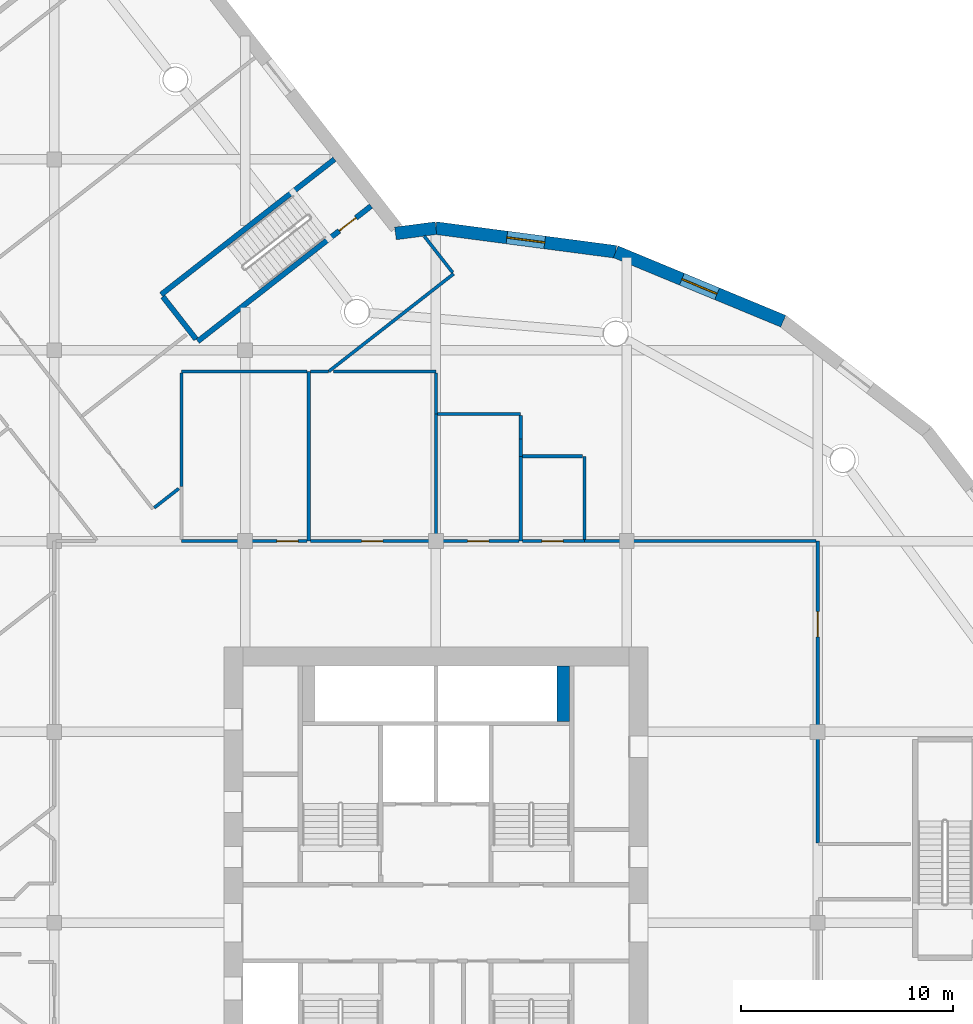
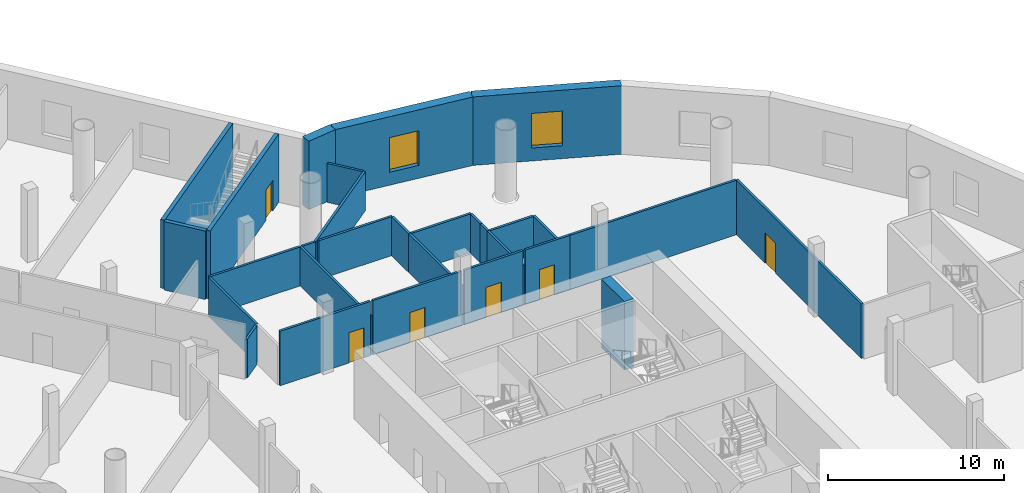
# One storey, part 10 of 22: 29 walls, 6 doors, 2 windows, 8 openings.
"""IFC4 building model written with IfcOpenShell, lengths in metres."""

from ifc_helpers import new_model, si_unit, direction, frame, frame_2d, origin, place, context, subcontext, project, spatial, rectangle, extrude, material, layer, layer_set, type_object, element, fill, save


model = new_model("IFC4")

# Units and contexts
model_context = context("Model", 3, precision=1e-05, world=origin(), true_north=direction((0.0, 1.0)))
body_context = subcontext(model_context, "Body", "Model", "MODEL_VIEW")
ifc_project = project(units=[si_unit("LENGTHUNIT", "METRE"), si_unit("AREAUNIT", "SQUARE_METRE"), si_unit("VOLUMEUNIT", "CUBIC_METRE"), si_unit("PLANEANGLEUNIT", "RADIAN"), si_unit("MASSUNIT", "GRAM", prefix="KILO")], contexts=[model_context])

# Site, building, storey
site_placement = place(None, origin())
site = spatial("IfcSite", under=ifc_project, at=site_placement, CompositionType="ELEMENT")
building_placement = place(site_placement, origin())
building = spatial("IfcBuilding", under=site, at=building_placement, Name="Tarsis Ring Headquarters", CompositionType="ELEMENT")
storey_placement = place(building_placement, frame((0.0, 0.0, 25.0)))
storey = spatial("IfcBuildingStorey", under=building, at=storey_placement, Name="L04", CompositionType="ELEMENT", Elevation=25.0)

# Walls
ifc_material_1 = material(Name="Plasterboard partition")
ifc_layer_1 = layer(ifc_material_1, 0.14990234375)
ifc_layer_set_1 = layer_set([ifc_layer_1], Name="PO-PW150")
wall_type_1 = type_object("IfcWallType", Name="PO-PW150", PredefinedType="PARTITIONING", material=ifc_layer_set_1)
wall_1_placement = place(storey_placement, frame((-6.0, 18.0, 0.0), z_axis=(0.0, 0.0, 1.0), x_axis=(0.0, 1.0, 0.0)))
element("IfcWall", 1, at=wall_1_placement, inside=storey, type_object=wall_type_1, Name="L04 partition wall 35", PredefinedType="PARTITIONING", context=body_context, shape_type="SweptSolid", body=[
    extrude(rectangle(XDim=8.0, YDim=0.14990234375, at=frame_2d((4.0, 0.0))), origin(), (0.0, 0.0, 1.0), 2.699951171875),
])
wall_2_placement = place(storey_placement, frame((0.83740234375, 30.602783203125, 0.0), z_axis=(0.0, 0.0, 1.0), x_axis=(-0.788026354001, -0.61564150721, 0.0)))
element("IfcWall", 2, at=wall_2_placement, inside=storey, type_object=wall_type_1, Name="L04 partition wall 45", PredefinedType="PARTITIONING", context=body_context, shape_type="SweptSolid", body=[
    extrude(rectangle(XDim=7.476318359375, YDim=0.14990234375, at=frame_2d((3.73828125, 0.0))), origin(), (0.0, 0.0, 1.0), 2.699951171875),
])
wall_3_placement = place(storey_placement, frame((-6.080078125, 26.0, 0.0), z_axis=(0.0, 0.0, 1.0), x_axis=(-1.0, 0.0, 0.0)))
element("IfcWall", 3, at=wall_3_placement, inside=storey, type_object=wall_type_1, Name="L04 partition wall 58", PredefinedType="PARTITIONING", context=body_context, shape_type="SweptSolid", body=[
    extrude(rectangle(XDim=5.919921875, YDim=0.14990234375, at=frame_2d((2.9599609375, 0.0))), origin(), (0.0, 0.0, 1.0), 2.699951171875),
])
wall_4_placement = place(storey_placement, frame((0.0, 18.0, 0.0), z_axis=(0.0, 0.0, 1.0), x_axis=(0.0, 1.0, 0.0)))
element("IfcWall", 4, at=wall_4_placement, inside=storey, type_object=wall_type_1, Name="L04 partition wall 60", PredefinedType="PARTITIONING", context=body_context, shape_type="SweptSolid", body=[
    extrude(rectangle(XDim=6.0, YDim=0.14990234375, at=frame_2d((3.0, 0.0))), origin(), (0.0, 0.0, 1.0), 2.699951171875),
])
wall_5_placement = place(storey_placement, frame((-12.0, 25.919921875, 0.0), z_axis=(0.0, 0.0, 1.0), x_axis=(0.0, -1.0, 0.0)))
element("IfcWall", 5, at=wall_5_placement, inside=storey, type_object=wall_type_1, Name="L04 partition wall 65", PredefinedType="PARTITIONING", context=body_context, shape_type="SweptSolid", body=[
    extrude(rectangle(XDim=5.346435546875, YDim=0.14990234375, at=frame_2d((2.67333984375, 0.0))), origin(), (0.0, 0.0, 1.0), 2.699951171875),
])
wall_6_placement = place(storey_placement, frame((-0.001953125, 26.0, 0.0), z_axis=(0.0, 0.0, 1.0), x_axis=(-1.0, 0.0, 0.0)))
element("IfcWall", 6, at=wall_6_placement, inside=storey, type_object=wall_type_1, Name="L04 partition wall 69", PredefinedType="PARTITIONING", context=body_context, shape_type="SweptSolid", body=[
    extrude(rectangle(XDim=4.832275390625, YDim=0.14990234375, at=frame_2d((2.416015625, 0.0))), origin(), (0.0, 0.0, 1.0), 2.699951171875),
])
wall_7_placement = place(storey_placement, frame((4.0, 18.0, 0.0), z_axis=(0.0, 0.0, 1.0), x_axis=(0.0, 1.0, 0.0)))
element("IfcWall", 7, at=wall_7_placement, inside=storey, type_object=wall_type_1, Name="L04 partition wall 78", PredefinedType="PARTITIONING", context=body_context, shape_type="SweptSolid", body=[
    extrude(rectangle(XDim=4.0, YDim=0.14990234375, at=frame_2d((2.0, 0.0))), origin(), (0.0, 0.0, 1.0), 2.699951171875),
])
wall_8_placement = place(storey_placement, frame((7.0, 18.080078125, 0.0), z_axis=(0.0, 0.0, 1.0), x_axis=(0.0, 1.0, 0.0)))
element("IfcWall", 8, at=wall_8_placement, inside=storey, type_object=wall_type_1, Name="L04 partition wall 79", PredefinedType="PARTITIONING", context=body_context, shape_type="SweptSolid", body=[
    extrude(rectangle(XDim=3.919921875, YDim=0.14990234375, at=frame_2d((1.9599609375, 0.0))), origin(), (0.0, 0.0, 1.0), 2.699951171875),
])
wall_9_placement = place(storey_placement, frame((0.080078125, 24.0, 0.0), z_axis=(0.0, 0.0, 1.0), x_axis=(1.0, 0.0, 0.0)))
element("IfcWall", 9, at=wall_9_placement, inside=storey, type_object=wall_type_1, Name="L04 partition wall 80", PredefinedType="PARTITIONING", context=body_context, shape_type="SweptSolid", body=[
    extrude(rectangle(XDim=3.91796875, YDim=0.14990234375, at=frame_2d((1.958984375, 0.0))), origin(), (0.0, 0.0, 1.0), 2.699951171875),
])
wall_10_placement = place(storey_placement, frame((6.919921875, 22.0, 0.0), z_axis=(0.0, 0.0, 1.0), x_axis=(-1.0, 0.0, 0.0)))
element("IfcWall", 10, at=wall_10_placement, inside=storey, type_object=wall_type_1, Name="L04 partition wall 88", PredefinedType="PARTITIONING", context=body_context, shape_type="SweptSolid", body=[
    extrude(rectangle(XDim=2.83984375, YDim=0.14990234375, at=frame_2d((1.419921875, 0.0))), origin(), (0.0, 0.0, 1.0), 2.699951171875),
])
wall_11_placement = place(storey_placement, frame((0.787353515625, 30.66552734375, 0.0), z_axis=(0.0, 0.0, 1.0), x_axis=(-0.615661438752, 0.788010782181, 0.0)))
element("IfcWall", 11, at=wall_11_placement, inside=storey, type_object=wall_type_1, Name="L04 partition wall 111", PredefinedType="PARTITIONING", context=body_context, shape_type="SweptSolid", body=[
    extrude(rectangle(XDim=2.1787109375, YDim=0.14990234375, at=frame_2d((1.08935546875, 0.0))), origin(), (0.0, 0.0, 1.0), 2.699951171875),
])
wall_12_placement = place(storey_placement, frame((0.0, 24.0, 0.0), z_axis=(0.0, 0.0, 1.0), x_axis=(0.0, 1.0, 0.0)))
element("IfcWall", 12, at=wall_12_placement, inside=storey, type_object=wall_type_1, Name="L04 partition wall 117", PredefinedType="PARTITIONING", context=body_context, shape_type="SweptSolid", body=[
    extrude(rectangle(XDim=1.91796875, YDim=0.14990234375, at=frame_2d((0.958984375, 0.0))), origin(), (0.0, 0.0, 1.0), 2.699951171875),
])
wall_13_placement = place(storey_placement, frame((-13.28466796875, 19.56982421875, 0.0), z_axis=(0.0, 0.0, 1.0), x_axis=(0.788089823948, 0.615560256506, 0.0)))
element("IfcWall", 13, at=wall_13_placement, inside=storey, type_object=wall_type_1, Name="L04 partition wall 120", PredefinedType="PARTITIONING", context=body_context, shape_type="SweptSolid", body=[
    extrude(rectangle(XDim=1.47021484375, YDim=0.14990234375, at=frame_2d((0.735107421875, 0.0))), origin(), (0.0, 0.0, 1.0), 2.699951171875),
])
wall_14_placement = place(storey_placement, frame((4.0, 22.80615234375, 0.0), z_axis=(0.0, 0.0, 1.0), x_axis=(0.0, 1.0, 0.0)))
element("IfcWall", 14, at=wall_14_placement, inside=storey, type_object=wall_type_1, Name="L04 partition wall 133", PredefinedType="PARTITIONING", context=body_context, shape_type="SweptSolid", body=[
    extrude(rectangle(XDim=1.11181640625, YDim=0.14990234375, at=frame_2d((0.555908203125, 0.0))), origin(), (0.0, 0.0, 1.0), 2.699951171875),
])
wall_15_placement = place(storey_placement, frame((-5.05419921875, 26.0, 0.0), z_axis=(0.0, 0.0, 1.0), x_axis=(-1.0, 0.0, 0.0)))
element("IfcWall", 15, at=wall_15_placement, inside=storey, type_object=wall_type_1, Name="L04 partition wall 143", PredefinedType="PARTITIONING", context=body_context, shape_type="SweptSolid", body=[
    extrude(rectangle(XDim=0.86572265625, YDim=0.14990234375, at=frame_2d((0.432861328125, 0.0))), origin(), (0.0, 0.0, 1.0), 2.699951171875),
])
wall_16_placement = place(storey_placement, frame((4.0, 22.0, 0.0), z_axis=(0.0, 0.0, 1.0), x_axis=(0.0, 1.0, 0.0)))
element("IfcWall", 16, at=wall_16_placement, inside=storey, type_object=wall_type_1, Name="L04 partition wall 150", PredefinedType="PARTITIONING", context=body_context, shape_type="SweptSolid", body=[
    extrude(rectangle(XDim=0.80615234375, YDim=0.14990234375, at=frame_2d((0.403076171875, 0.0))), origin(), (0.0, 0.0, 1.0), 2.699951171875),
])

# Wall, opening, door
ifc_layer_2 = layer(ifc_material_1, 0.14990234375)
ifc_layer_set_2 = layer_set([ifc_layer_2], Name="PO-PW150R-3783")
wall_type_2 = type_object("IfcWallType", Name="PO-PW150R-3783", PredefinedType="PARTITIONING", material=ifc_layer_set_2)
wall_17_placement = place(storey_placement, frame((18.001953125, 18.0, 0.0), z_axis=(0.0, 0.0, 1.0), x_axis=(0.0, -1.0, 0.0)))
wall_17 = element("IfcWall", 17, at=wall_17_placement, inside=storey, type_object=wall_type_2, Name="L04 partition wall 14", PredefinedType="PARTITIONING", context=body_context, shape_type="SweptSolid", body=[
    extrude(rectangle(XDim=14.22998046875, YDim=0.14990234375, at=frame_2d((7.114990234375, 0.0))), origin(), (0.0, 0.0, 1.0), 3.782958984375),
])
opening_1_placement = place(wall_17_placement, frame((3.32080078125, 0.0, 0.0)))
opening_1 = element("IfcOpeningElement", 18, at=opening_1_placement, cuts=wall_17, Name="Opening PO-D2", PredefinedType="OPENING", context=body_context, shape_type="SweptSolid", body=[
    extrude(rectangle(XDim=1.199951171875, YDim=2.10009765625, at=frame_2d((0.60009765625, 1.050048828125))), frame((0.0, 0.0849609375, 0.0), z_axis=(0.0, -1.0, 0.0), x_axis=(1.0, 0.0, 0.0)), (0.0, 0.0, 1.0), 0.169921875),
])
ifc_material_2 = material(Name="Timber door", Category="wood")
door_type_1 = type_object("IfcDoorType", Name="PO-D1200", OperationType="NOTDEFINED", PredefinedType="DOOR", material=ifc_material_2)
door_1_placement = place(opening_1_placement, origin())
door_1 = element("IfcDoor", 19, at=door_1_placement, inside=storey, type_object=door_type_1, Name="Wellness room door", OperationType="SINGLE_SWING_LEFT", OverallHeight=2.10009765625, OverallWidth=1.199951171875, PredefinedType="DOOR", context=body_context, shape_type="SweptSolid", body=[
    extrude(rectangle(XDim=1.199951171875, YDim=2.10009765625, at=frame_2d((0.60009765625, 1.050048828125))), frame((0.0, 0.02490234375, 0.0), z_axis=(0.0, -1.0, 0.0), x_axis=(1.0, 0.0, 0.0)), (0.0, 0.0, 1.0), 0.050048828125),
])
fill(opening_1, door_1)

# Wall
wall_18_placement = place(storey_placement, frame((7.001953125, 18.001953125, 0.0), z_axis=(0.0, 0.0, 1.0), x_axis=(1.0, 0.0, 0.0)))
element("IfcWall", 20, at=wall_18_placement, inside=storey, type_object=wall_type_2, Name="L04 partition wall 17", PredefinedType="PARTITIONING", context=body_context, shape_type="SweptSolid", body=[
    extrude(rectangle(XDim=10.91796875, YDim=0.14990234375, at=frame_2d((5.458984375, 0.0))), origin(), (0.0, 0.0, 1.0), 3.782958984375),
])

# Wall, opening, door
wall_19_placement = place(storey_placement, frame((-12.0, 18.0, 0.0), z_axis=(0.0, 0.0, 1.0), x_axis=(1.0, 0.0, 0.0)))
wall_19 = element("IfcWall", 21, at=wall_19_placement, inside=storey, type_object=wall_type_2, Name="L04 partition wall 57", PredefinedType="PARTITIONING", context=body_context, shape_type="SweptSolid", body=[
    extrude(rectangle(XDim=5.919921875, YDim=0.14990234375, at=frame_2d((2.9599609375, 0.0))), origin(), (0.0, 0.0, 1.0), 3.782958984375),
])
opening_2_placement = place(wall_19_placement, frame((4.5, 0.0, 0.0)))
opening_2 = element("IfcOpeningElement", 22, at=opening_2_placement, cuts=wall_19, Name="Opening PO-D1", PredefinedType="OPENING", context=body_context, shape_type="SweptSolid", body=[
    extrude(rectangle(XDim=1.0, YDim=2.10009765625, at=frame_2d((0.5, 1.050048828125))), frame((0.0, 0.0849609375, 0.0), z_axis=(0.0, -1.0, 0.0), x_axis=(1.0, 0.0, 0.0)), (0.0, 0.0, 1.0), 0.169921875),
])
door_type_2 = type_object("IfcDoorType", Name="PO-D1000", OperationType="NOTDEFINED", PredefinedType="DOOR", material=ifc_material_2)
door_2_placement = place(opening_2_placement, origin())
door_2 = element("IfcDoor", 23, at=door_2_placement, inside=storey, type_object=door_type_2, Name="Male WC door", OperationType="SINGLE_SWING_RIGHT", OverallHeight=2.10009765625, OverallWidth=1.0, PredefinedType="DOOR", context=body_context, shape_type="SweptSolid", body=[
    extrude(rectangle(XDim=1.0, YDim=2.10009765625, at=frame_2d((0.5, 1.050048828125))), frame((0.0, 0.02490234375, 0.0), z_axis=(0.0, -1.0, 0.0), x_axis=(1.0, 0.0, 0.0)), (0.0, 0.0, 1.0), 0.050048828125),
])
fill(opening_2, door_2)

wall_20_placement = place(storey_placement, frame((-5.919921875, 18.0, 0.0), z_axis=(0.0, 0.0, 1.0), x_axis=(1.0, 0.0, 0.0)))
wall_20 = element("IfcWall", 24, at=wall_20_placement, inside=storey, type_object=wall_type_2, Name="L04 partition wall 59", PredefinedType="PARTITIONING", context=body_context, shape_type="SweptSolid", body=[
    extrude(rectangle(XDim=5.83984375, YDim=0.14990234375, at=frame_2d((2.919921875, 0.0))), origin(), (0.0, 0.0, 1.0), 3.782958984375),
])
opening_3_placement = place(wall_20_placement, frame((2.419921875, 0.0, 0.0)))
opening_3 = element("IfcOpeningElement", 25, at=opening_3_placement, cuts=wall_20, Name="Opening PO-D1", PredefinedType="OPENING", context=body_context, shape_type="SweptSolid", body=[
    extrude(rectangle(XDim=1.0, YDim=2.10009765625, at=frame_2d((0.5, 1.050048828125))), frame((0.0, 0.0849609375, 0.0), z_axis=(0.0, -1.0, 0.0), x_axis=(1.0, 0.0, 0.0)), (0.0, 0.0, 1.0), 0.169921875),
])
door_3_placement = place(opening_3_placement, origin())
door_3 = element("IfcDoor", 26, at=door_3_placement, inside=storey, type_object=door_type_2, Name="Female WC door", OperationType="SINGLE_SWING_LEFT", OverallHeight=2.10009765625, OverallWidth=1.0, PredefinedType="DOOR", context=body_context, shape_type="SweptSolid", body=[
    extrude(rectangle(XDim=1.0, YDim=2.10009765625, at=frame_2d((0.5, 1.050048828125))), frame((0.0, 0.02490234375, 0.0), z_axis=(0.0, -1.0, 0.0), x_axis=(1.0, 0.0, 0.0)), (0.0, 0.0, 1.0), 0.050048828125),
])
fill(opening_3, door_3)

wall_21_placement = place(storey_placement, frame((0.080078125, 18.0, 0.0), z_axis=(0.0, 0.0, 1.0), x_axis=(1.0, 0.0, 0.0)))
wall_21 = element("IfcWall", 27, at=wall_21_placement, inside=storey, type_object=wall_type_2, Name="L04 partition wall 77", PredefinedType="PARTITIONING", context=body_context, shape_type="SweptSolid", body=[
    extrude(rectangle(XDim=3.83984375, YDim=0.14990234375, at=frame_2d((1.919921875, 0.0))), origin(), (0.0, 0.0, 1.0), 3.782958984375),
])
opening_4_placement = place(wall_21_placement, frame((1.419921875, 0.0, 0.0)))
opening_4 = element("IfcOpeningElement", 28, at=opening_4_placement, cuts=wall_21, Name="Opening PO-D1", PredefinedType="OPENING", context=body_context, shape_type="SweptSolid", body=[
    extrude(rectangle(XDim=1.0, YDim=2.10009765625, at=frame_2d((0.5, 1.050048828125))), frame((0.0, 0.0849609375, 0.0), z_axis=(0.0, -1.0, 0.0), x_axis=(1.0, 0.0, 0.0)), (0.0, 0.0, 1.0), 0.169921875),
])
door_4_placement = place(opening_4_placement, origin())
door_4 = element("IfcDoor", 29, at=door_4_placement, inside=storey, type_object=door_type_2, Name="Accessible WC door", OperationType="SINGLE_SWING_RIGHT", OverallHeight=2.10009765625, OverallWidth=1.0, PredefinedType="DOOR", context=body_context, shape_type="SweptSolid", body=[
    extrude(rectangle(XDim=1.0, YDim=2.10009765625, at=frame_2d((0.5, 1.050048828125))), frame((0.0, 0.02490234375, 0.0), z_axis=(0.0, -1.0, 0.0), x_axis=(1.0, 0.0, 0.0)), (0.0, 0.0, 1.0), 0.050048828125),
])
fill(opening_4, door_4)

wall_22_placement = place(storey_placement, frame((4.080078125, 18.0, 0.0), z_axis=(0.0, 0.0, 1.0), x_axis=(1.0, 0.0, 0.0)))
wall_22 = element("IfcWall", 30, at=wall_22_placement, inside=storey, type_object=wall_type_2, Name="L04 partition wall 87", PredefinedType="PARTITIONING", context=body_context, shape_type="SweptSolid", body=[
    extrude(rectangle(XDim=2.919921875, YDim=0.14990234375, at=frame_2d((1.4599609375, 0.0))), origin(), (0.0, 0.0, 1.0), 3.782958984375),
])
opening_5_placement = place(wall_22_placement, frame((0.919921875, 0.0, 0.0)))
opening_5 = element("IfcOpeningElement", 31, at=opening_5_placement, cuts=wall_22, Name="Opening PO-D1", PredefinedType="OPENING", context=body_context, shape_type="SweptSolid", body=[
    extrude(rectangle(XDim=1.0, YDim=2.10009765625, at=frame_2d((0.5, 1.050048828125))), frame((0.0, 0.0849609375, 0.0), z_axis=(0.0, -1.0, 0.0), x_axis=(1.0, 0.0, 0.0)), (0.0, 0.0, 1.0), 0.169921875),
])
door_5_placement = place(opening_5_placement, origin())
door_5 = element("IfcDoor", 32, at=door_5_placement, inside=storey, type_object=door_type_2, Name="Cleaners' store door", OperationType="SINGLE_SWING_LEFT", OverallHeight=2.10009765625, OverallWidth=1.0, PredefinedType="DOOR", context=body_context, shape_type="SweptSolid", body=[
    extrude(rectangle(XDim=1.0, YDim=2.10009765625, at=frame_2d((0.5, 1.050048828125))), frame((0.0, 0.02490234375, 0.0), z_axis=(0.0, -1.0, 0.0), x_axis=(1.0, 0.0, 0.0)), (0.0, 0.0, 1.0), 0.050048828125),
])
fill(opening_5, door_5)

ifc_material_3 = material(Name="Concrete C40/50", Category="concrete")
ifc_layer_3 = layer(ifc_material_3, 0.25)
ifc_layer_set_3 = layer_set([ifc_layer_3], Name="PO-W250")
wall_type_3 = type_object("IfcWallType", Name="PO-W250", PredefinedType="SOLIDWALL", material=ifc_layer_set_3)
wall_23_placement = place(storey_placement, frame((-3.0576171875, 33.80029296875, 0.0), z_axis=(0.0, 0.0, 1.0), x_axis=(-0.788273447376, -0.615325094696, 0.0)))
wall_23 = element("IfcWall", 33, at=wall_23_placement, inside=storey, type_object=wall_type_3, Name="L04 shaft wall 20", PredefinedType="SOLIDWALL", context=body_context, shape_type="SweptSolid", body=[
    extrude(rectangle(XDim=10.369873046875, YDim=0.25, at=frame_2d((5.18505859375, 0.0))), origin(), (0.0, 0.0, 1.0), 4.75),
])
opening_6_placement = place(wall_23_placement, frame((0.90478515625, 0.0, 0.0)))
opening_6 = element("IfcOpeningElement", 34, at=opening_6_placement, cuts=wall_23, Name="Opening PO-D3", PredefinedType="OPENING", context=body_context, shape_type="SweptSolid", body=[
    extrude(rectangle(XDim=1.0, YDim=2.10009765625, at=frame_2d((0.5, 1.050048828125))), frame((0.0, 0.135009765625, 0.0), z_axis=(0.0, -1.0, 0.0), x_axis=(1.0, 0.0, 0.0)), (0.0, 0.0, 1.0), 0.27001953125),
])
ifc_material_4 = material(Name="Steel fire door", Category="steel")
door_type_3 = type_object("IfcDoorType", Name="PO-D1000F", OperationType="SINGLE_SWING_LEFT", PredefinedType="DOOR", material=ifc_material_4)
door_6_placement = place(opening_6_placement, origin())
door_6 = element("IfcDoor", 35, at=door_6_placement, inside=storey, type_object=door_type_3, Name="Exit stair 3 door", OperationType="SINGLE_SWING_LEFT", OverallHeight=2.10009765625, OverallWidth=1.0, PredefinedType="DOOR", context=body_context, shape_type="SweptSolid", body=[
    extrude(rectangle(XDim=1.0, YDim=2.10009765625, at=frame_2d((0.5, 1.050048828125))), frame((0.0, 0.02490234375, 0.0), z_axis=(0.0, -1.0, 0.0), x_axis=(1.0, 0.0, 0.0)), (0.0, 0.0, 1.0), 0.050048828125),
])
fill(opening_6, door_6)

# Walls
wall_24_placement = place(storey_placement, frame((-12.954833984375, 29.626708984375, 0.0), z_axis=(0.0, 0.0, 1.0), x_axis=(0.788283470415, 0.615312254283, 0.0)))
element("IfcWall", 36, at=wall_24_placement, inside=storey, type_object=wall_type_3, Name="L04 shaft wall 22", PredefinedType="SOLIDWALL", context=body_context, shape_type="SweptSolid", body=[
    extrude(rectangle(XDim=10.368408203125, YDim=0.25, at=frame_2d((5.18408203125, 0.0))), origin(), (0.0, 0.0, 1.0), 4.75),
])
wall_25_placement = place(storey_placement, frame((-11.31201171875, 27.52197265625, 0.0), z_axis=(0.0, 0.0, 1.0), x_axis=(-0.615343695919, 0.788258926935, 0.0)))
element("IfcWall", 37, at=wall_25_placement, inside=storey, type_object=wall_type_3, Name="L04 shaft wall 93", PredefinedType="SOLIDWALL", context=body_context, shape_type="SweptSolid", body=[
    extrude(rectangle(XDim=2.5400390625, YDim=0.25, at=frame_2d((1.27001953125, 0.0))), origin(), (0.0, 0.0, 1.0), 4.75),
])

# Wall, opening, window
ifc_material_5 = material(Name="Concrete C60/75", Category="concrete")
ifc_layer_4 = layer(ifc_material_5, 0.60009765625)
ifc_layer_set_4 = layer_set([ifc_layer_4], Name="PO-W600")
wall_type_4 = type_object("IfcWallType", Name="PO-W600", PredefinedType="SOLIDWALL", material=ifc_layer_set_4)
wall_26_placement = place(storey_placement, frame((16.37890625, 28.369140625, 0.0), z_axis=(0.0, 0.0, 1.0), x_axis=(-0.923883217595, 0.382674535665, 0.0)))
wall_26 = element("IfcWall", 38, at=wall_26_placement, inside=storey, type_object=wall_type_4, Name="L04 external wall 20", PredefinedType="SOLIDWALL", context=body_context, shape_type="SweptSolid", body=[
    extrude(rectangle(XDim=8.551513671875, YDim=0.60009765625, at=frame_2d((4.27587890625, 0.0))), origin(), (0.0, 0.0, 1.0), 4.75),
])
opening_7_placement = place(wall_26_placement, frame((3.375732421875, 0.0, 0.89990234375)))
opening_7 = element("IfcOpeningElement", 39, at=opening_7_placement, cuts=wall_26, Name="Opening PO-WN1", PredefinedType="OPENING", context=body_context, shape_type="SweptSolid", body=[
    extrude(rectangle(XDim=1.800048828125, YDim=2.39990234375, at=frame_2d((0.89990234375, 1.199951171875))), frame((0.0, 0.31005859375, 0.0), z_axis=(0.0, -1.0, 0.0), x_axis=(1.0, 0.0, 0.0)), (0.0, 0.0, 1.0), 0.6201171875),
])
ifc_material_6 = material(Name="Double glazing", Category="glass")
window_type = type_object("IfcWindowType", Name="PO-WN1800", PartitioningType="SINGLE_PANEL", PredefinedType="WINDOW", material=ifc_material_6)
window_1_placement = place(opening_7_placement, origin())
window_1 = element("IfcWindow", 40, at=window_1_placement, inside=storey, type_object=window_type, Name="L04 window 20.1", OverallHeight=2.39990234375, OverallWidth=1.800048828125, PartitioningType="SINGLE_PANEL", PredefinedType="WINDOW", context=body_context, shape_type="SweptSolid", body=[
    extrude(rectangle(XDim=1.800048828125, YDim=2.39990234375, at=frame_2d((0.89990234375, 1.199951171875))), frame((0.0, 0.030029296875, 0.0), z_axis=(0.0, -1.0, 0.0), x_axis=(1.0, 0.0, 0.0)), (0.0, 0.0, 1.0), 0.06005859375),
])
fill(opening_7, window_1)

wall_27_placement = place(storey_placement, frame((8.478271484375, 31.6416015625, 0.0), z_axis=(0.0, 0.0, 1.0), x_axis=(-0.991444478179, 0.130529102837, 0.0)))
wall_27 = element("IfcWall", 41, at=wall_27_placement, inside=storey, type_object=wall_type_4, Name="L04 external wall 21", PredefinedType="SOLIDWALL", context=body_context, shape_type="SweptSolid", body=[
    extrude(rectangle(XDim=8.551513671875, YDim=0.60009765625, at=frame_2d((4.27587890625, 0.0))), origin(), (0.0, 0.0, 1.0), 4.75),
])
opening_8_placement = place(wall_27_placement, frame((3.375732421875, 0.0, 0.89990234375)))
opening_8 = element("IfcOpeningElement", 42, at=opening_8_placement, cuts=wall_27, Name="Opening PO-WN1", PredefinedType="OPENING", context=body_context, shape_type="SweptSolid", body=[
    extrude(rectangle(XDim=1.800048828125, YDim=2.39990234375, at=frame_2d((0.89990234375, 1.199951171875))), frame((0.0, 0.31005859375, 0.0), z_axis=(0.0, -1.0, 0.0), x_axis=(1.0, 0.0, 0.0)), (0.0, 0.0, 1.0), 0.6201171875),
])
window_2_placement = place(opening_8_placement, origin())
window_2 = element("IfcWindow", 43, at=window_2_placement, inside=storey, type_object=window_type, Name="L04 window 21.1", OverallHeight=2.39990234375, OverallWidth=1.800048828125, PartitioningType="SINGLE_PANEL", PredefinedType="WINDOW", context=body_context, shape_type="SweptSolid", body=[
    extrude(rectangle(XDim=1.800048828125, YDim=2.39990234375, at=frame_2d((0.89990234375, 1.199951171875))), frame((0.0, 0.030029296875, 0.0), z_axis=(0.0, -1.0, 0.0), x_axis=(1.0, 0.0, 0.0)), (0.0, 0.0, 1.0), 0.06005859375),
])
fill(opening_8, window_2)

# Walls
wall_28_placement = place(storey_placement, frame((0.0, 32.7578125, 0.0), z_axis=(0.0, 0.0, 1.0), x_axis=(-0.991450406844, -0.130484063274, 0.0)))
element("IfcWall", 44, at=wall_28_placement, inside=storey, type_object=wall_type_4, Name="L04 external wall 22", PredefinedType="SOLIDWALL", context=body_context, shape_type="SweptSolid", body=[
    extrude(rectangle(XDim=1.92333984375, YDim=0.60009765625, at=frame_2d((0.961669921875, 0.0))), origin(), (0.0, 0.0, 1.0), 4.75),
])
ifc_material_7 = material(Name="Concrete C32/40", Category="concrete")
ifc_layer_5 = layer(ifc_material_7, 0.60009765625)
ifc_layer_set_5 = layer_set([ifc_layer_5], Name="Shaft end wall 600 C32/40")
wall_type_5 = type_object("IfcWallType", Name="Shaft end wall 600 C32/40", PredefinedType="SOLIDWALL", material=ifc_layer_set_5)
wall_29_placement = place(storey_placement, frame((6.0, 9.5, 0.0), z_axis=(0.0, 0.0, 1.0), x_axis=(0.0, 1.0, 0.0)))
element("IfcWall", 45, at=wall_29_placement, inside=storey, type_object=wall_type_5, Name="Core shaft wall NNE2", PredefinedType="SOLIDWALL", context=body_context, shape_type="SweptSolid", body=[
    extrude(rectangle(XDim=2.60009765625, YDim=0.60009765625, at=frame_2d((1.300048828125, 0.0))), origin(), (0.0, 0.0, 1.0), 4.75),
])

save(model, "model.ifc")
